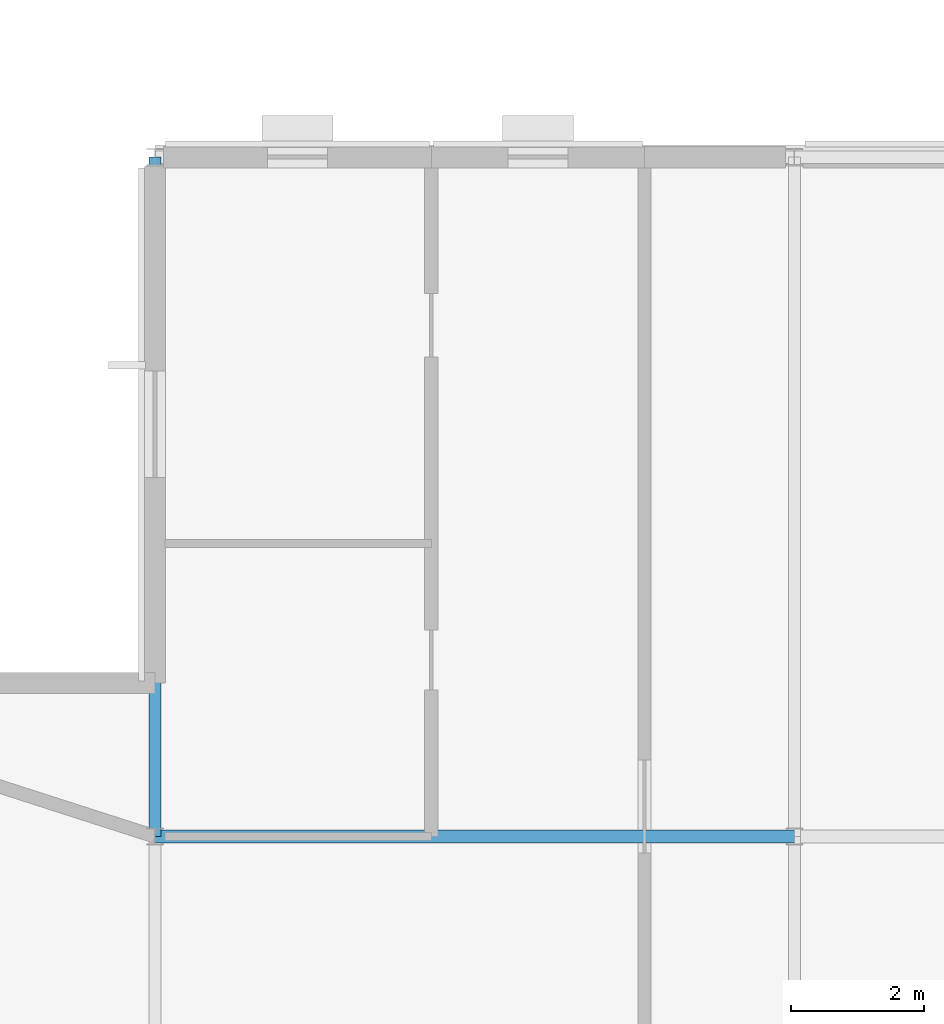
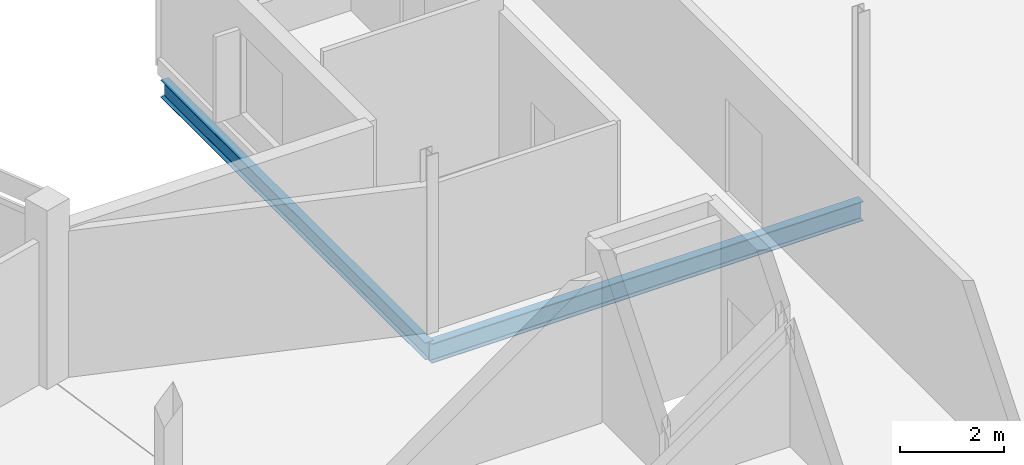
# One storey, part 114 of 170: 2 beams.
"""IFC4 building model written with IfcOpenShell, lengths in metres."""

from ifc_helpers import new_model, si_unit, direction, frame, origin, origin_2d, place, context, subcontext, project, spatial, i_section, extrude, material, material_profile, profile_set, type_object, element, save


model = new_model("IFC4")

# Units and contexts
model_context = context("Model", 3, precision=1e-05, world=origin(), true_north=direction((0.0, 1.0)))
body_context = subcontext(model_context, "Body", "Model", "MODEL_VIEW")
ifc_project = project(units=[si_unit("LENGTHUNIT", "METRE"), si_unit("AREAUNIT", "SQUARE_METRE"), si_unit("VOLUMEUNIT", "CUBIC_METRE"), si_unit("PLANEANGLEUNIT", "RADIAN"), si_unit("MASSUNIT", "GRAM", prefix="KILO")], contexts=[model_context])

# Site, building, storey
site_placement = place(None, origin())
site = spatial("IfcSite", under=ifc_project, at=site_placement, CompositionType="ELEMENT")
building_placement = place(site_placement, origin())
building = spatial("IfcBuilding", under=site, at=building_placement, Name="Vondelvale Polytechnic", CompositionType="ELEMENT")
storey_placement = place(building_placement, frame((0.0, 0.0, 5.39990234375)))
storey = spatial("IfcBuildingStorey", under=building, at=storey_placement, Name="L01", CompositionType="ELEMENT", Elevation=5.39990234375)

# Beams
ifc_material = material(Name="Steel 300PLUS (fy = 300 MPa)", Category="steel")
ifc_material_profile_1 = material_profile(ifc_material, i_section(OverallWidth=0.177978515625, OverallDepth=0.406005859375, WebThickness=0.0078125, FlangeThickness=0.0126953125, FilletRadius=0.011474609375, at=origin_2d()), Name="410UB59.7")
ifc_profile_set_1 = profile_set([ifc_material_profile_1], Name="Steel 300PLUS (fy = 300 MPa)")
beam_type_1 = type_object("IfcBeamType", Name="BM-UB410", PredefinedType="BEAM", material=ifc_profile_set_1)
beam_1_placement = place(storey_placement, frame((153.60009765625, 81.60009765625, -0.48291015625), z_axis=(0.0, 1.0, 0.0), x_axis=(-1.0, 0.0, 0.0)))
element("IfcBeam", 1, at=beam_1_placement, inside=storey, type_object=beam_type_1, Name="L01 B B-14", PredefinedType="BEAM", context=body_context, shape_type="SweptSolid", body=[
    extrude(i_section(OverallWidth=0.177978515625, OverallDepth=0.406005859375, WebThickness=0.0078125, FlangeThickness=0.0126953125, FilletRadius=0.011474609375, at=origin_2d()), origin(), (0.0, 0.0, 1.0), 10.199951171875),
])
ifc_material_profile_2 = material_profile(ifc_material, i_section(OverallWidth=0.19091796875, OverallDepth=0.4599609375, WebThickness=0.010009765625, FlangeThickness=0.01611328125, FilletRadius=0.011474609375, at=origin_2d()), Name="460UB82.1")
ifc_profile_set_2 = profile_set([ifc_material_profile_2], Name="Steel 300PLUS (fy = 300 MPa)")
beam_type_2 = type_object("IfcBeamType", Name="BM-UB460H", PredefinedType="BEAM", material=ifc_profile_set_2)
beam_2_placement = place(storey_placement, frame((153.60009765625, 81.60009765625, -0.510009765625), z_axis=(1.0, 0.0, 0.0), x_axis=(0.0, 1.0, 0.0)))
element("IfcBeam", 2, at=beam_2_placement, inside=storey, type_object=beam_type_2, Name="L01 B B-12", PredefinedType="BEAM", context=body_context, shape_type="SweptSolid", body=[
    extrude(i_section(OverallWidth=0.19091796875, OverallDepth=0.4599609375, WebThickness=0.010009765625, FlangeThickness=0.01611328125, FilletRadius=0.011474609375, at=origin_2d()), origin(), (0.0, 0.0, 1.0), 9.599853515625),
])

save(model, "model.ifc")
